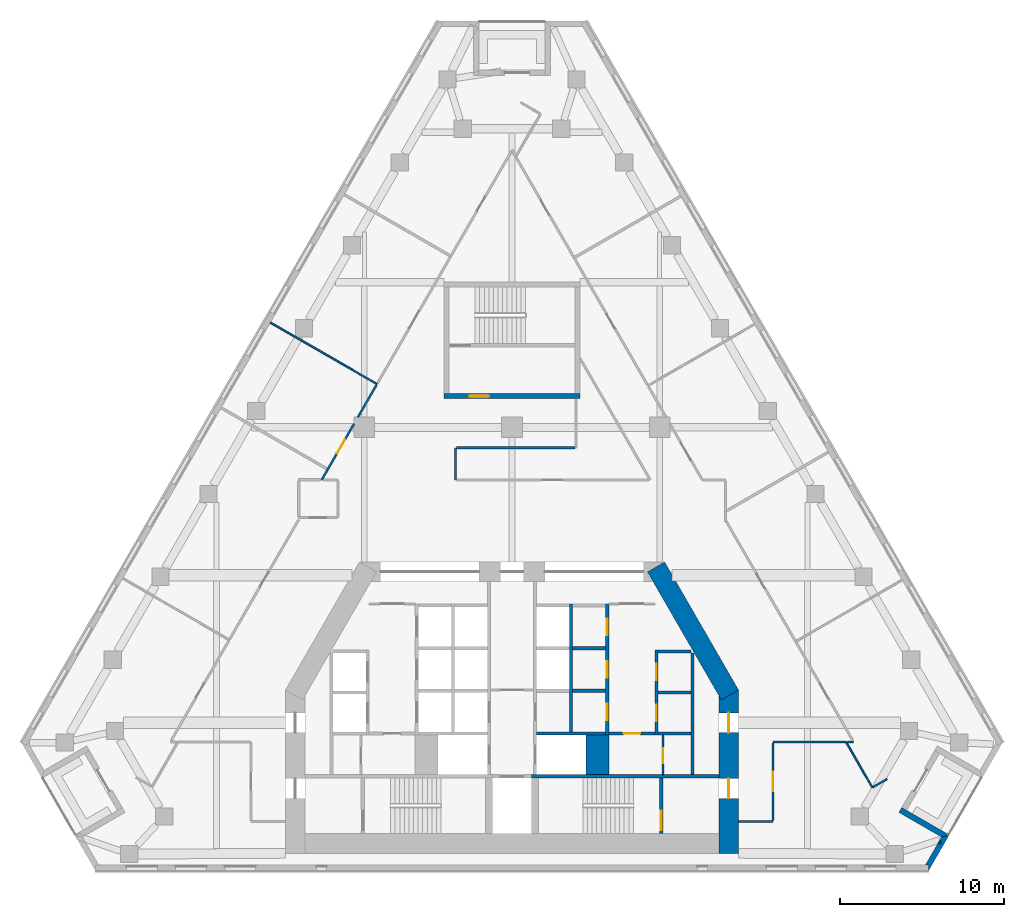
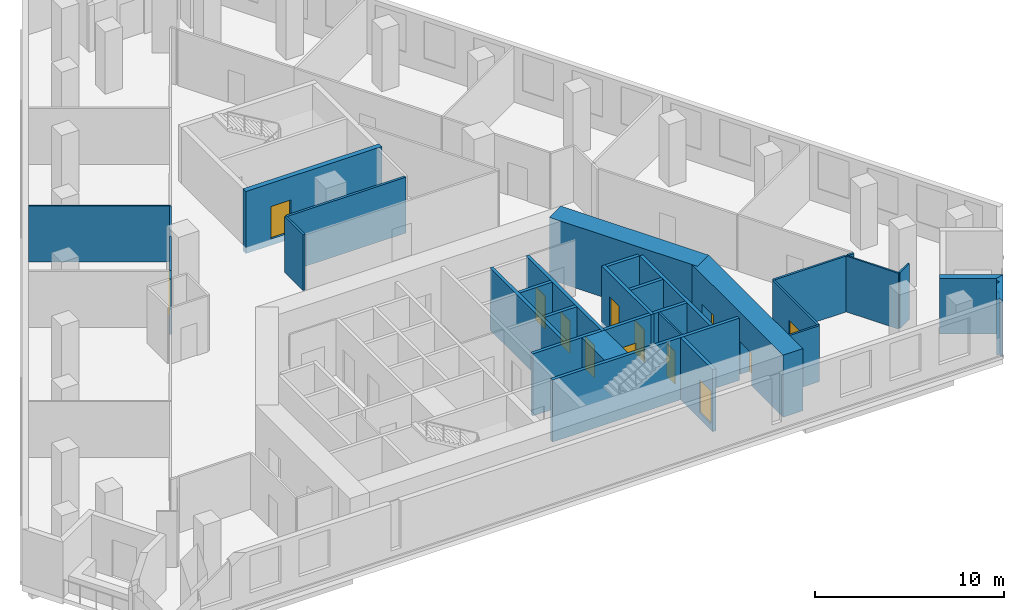
# One storey, part 6 of 10: 33 walls, 13 doors, 13 openings.
"""IFC4 building model written with IfcOpenShell, lengths in metres."""

from ifc_helpers import new_model, si_unit, direction, frame, frame_2d, origin, place, context, subcontext, project, spatial, polyline, rectangle, outline, extrude, material, layer, layer_set, type_object, element, fill, save


model = new_model("IFC4")

# Units and contexts
model_context = context("Model", 3, precision=1e-05, world=origin(), true_north=direction((0.0, 1.0)))
body_context = subcontext(model_context, "Body", "Model", "MODEL_VIEW")
ifc_project = project(units=[si_unit("LENGTHUNIT", "METRE"), si_unit("AREAUNIT", "SQUARE_METRE"), si_unit("VOLUMEUNIT", "CUBIC_METRE"), si_unit("PLANEANGLEUNIT", "RADIAN"), si_unit("MASSUNIT", "GRAM", prefix="KILO")], contexts=[model_context])

# Site, building, storey
site_placement = place(None, origin())
site = spatial("IfcSite", under=ifc_project, at=site_placement, CompositionType="ELEMENT")
building_placement = place(site_placement, origin())
building = spatial("IfcBuilding", under=site, at=building_placement, Name="Fogline Exchange Tower", CompositionType="ELEMENT")
storey_placement = place(building_placement, frame((0.0, 0.0, 128.10009765625)))
storey = spatial("IfcBuildingStorey", under=building, at=storey_placement, Name="L28", CompositionType="ELEMENT", Elevation=128.10009765625)

# Wall, opening, door
ifc_material_1 = material(Name="Blockwork partition", Category="masonry")
ifc_layer_1 = layer(ifc_material_1, 0.10009765625)
ifc_layer_set_1 = layer_set([ifc_layer_1], Name="CW10")
wall_type_1 = type_object("IfcWallType", Name="CW10", PredefinedType="PARTITIONING", material=ifc_layer_set_1)
wall_1_placement = place(storey_placement, frame((9.199951171875, 5.85009765625, 0.0), z_axis=(0.0, 0.0, 1.0), x_axis=(0.0, 1.0, 0.0)))
wall_1 = element("IfcWall", 1, at=wall_1_placement, inside=storey, type_object=wall_type_1, Name="WC partition", PredefinedType="PARTITIONING", context=body_context, shape_type="SweptSolid", body=[
    extrude(rectangle(XDim=2.39990234375, YDim=0.10009765625, at=frame_2d((1.199951171875, 0.0))), origin(), (0.0, 0.0, 1.0), 3.599853515625),
])
opening_1_placement = place(wall_1_placement, frame((0.699951171875, 0.0, 0.0)))
opening_1 = element("IfcOpeningElement", 2, at=opening_1_placement, cuts=wall_1, Name="Opening T08-C015", PredefinedType="OPENING", context=body_context, shape_type="SweptSolid", body=[
    extrude(rectangle(XDim=0.89990234375, YDim=2.10009765625, at=frame_2d((0.449951171875, 1.050048828125))), frame((0.0, 0.06005859375, 0.0), z_axis=(0.0, -1.0, 0.0), x_axis=(1.0, 0.0, 0.0)), (0.0, 0.0, 1.0), 0.1201171875),
])
ifc_material_2 = material(Name="Steel and timber fire door", Category="steel")
door_type_1 = type_object("IfcDoorType", Name="D-CS1", OperationType="SINGLE_SWING_RIGHT", PredefinedType="DOOR", material=ifc_material_2)
door_1_placement = place(opening_1_placement, frame((0.89990234375, 0.0, 0.0), z_axis=(0.0, 0.0, 1.0), x_axis=(-1.0, 0.0, 0.0)))
door_1 = element("IfcDoor", 3, at=door_1_placement, inside=storey, type_object=door_type_1, Name="Door to Cleaner's Store", OperationType="SINGLE_SWING_RIGHT", OverallHeight=2.10009765625, OverallWidth=0.89990234375, PredefinedType="DOOR", context=body_context, shape_type="SweptSolid", body=[
    extrude(rectangle(XDim=0.89990234375, YDim=2.10009765625, at=frame_2d((0.449951171875, 1.050048828125))), frame((0.0, 0.02490234375, 0.0), z_axis=(0.0, -1.0, 0.0), x_axis=(1.0, 0.0, 0.0)), (0.0, 0.0, 1.0), 0.050048828125),
])
fill(opening_1, door_1)

# Walls
ifc_material_3 = material(Name="Concrete C60", Category="concrete")
ifc_layer_2 = layer(ifc_material_3, 1.39990234375)
ifc_layer_set_2 = layer_set([ifc_layer_2], Name="CW140")
wall_type_2 = type_object("IfcWallType", Name="CW140", PredefinedType="SOLIDWALL", material=ifc_layer_set_2)
wall_2_placement = place(storey_placement, frame((5.199951171875, 5.85009765625, -0.400146484375), z_axis=(0.0, 0.0, 1.0), x_axis=(0.0, 1.0, 0.0)))
element("IfcWall", 4, at=wall_2_placement, inside=storey, type_object=wall_type_2, Name="Lift shaft block wall", PredefinedType="SOLIDWALL", context=body_context, shape_type="SweptSolid", body=[
    extrude(rectangle(XDim=2.39990234375, YDim=1.39990234375, at=frame_2d((1.199951171875, 0.0))), origin(), (0.0, 0.0, 1.0), 4.0),
])
ifc_material_4 = material(Name="Concrete C40", Category="concrete")
ifc_layer_3 = layer(ifc_material_4, 0.199951171875)
ifc_layer_set_3 = layer_set([ifc_layer_3], Name="CW20")
wall_type_3 = type_object("IfcWallType", Name="CW20", PredefinedType="SOLIDWALL", material=ifc_layer_set_3)
wall_3_placement = place(storey_placement, frame((11.0, 5.85009765625, 0.0), z_axis=(0.0, 0.0, 1.0), x_axis=(0.0, 1.0, 0.0)))
element("IfcWall", 5, at=wall_3_placement, inside=storey, type_object=wall_type_3, Name="Service room wall", PredefinedType="SOLIDWALL", context=body_context, shape_type="SweptSolid", body=[
    extrude(rectangle(XDim=7.39990234375, YDim=0.199951171875, at=frame_2d((3.699951171875, 0.0))), origin(), (0.0, 0.0, 1.0), 3.599853515625),
])

# Wall, opening, door
wall_4_placement = place(storey_placement, frame((5.89990234375, 8.35009765625, 0.0), z_axis=(0.0, 0.0, 1.0), x_axis=(1.0, 0.0, 0.0)))
wall_4 = element("IfcWall", 6, at=wall_4_placement, inside=storey, type_object=wall_type_3, Name="WC wall", PredefinedType="SOLIDWALL", context=body_context, shape_type="SweptSolid", body=[
    extrude(rectangle(XDim=2.800048828125, YDim=0.199951171875, at=frame_2d((1.39990234375, 0.0))), origin(), (0.0, 0.0, 1.0), 3.599853515625),
])
opening_2_placement = place(wall_4_placement, frame((0.89990234375, 0.0, 0.0)))
opening_2 = element("IfcOpeningElement", 7, at=opening_2_placement, cuts=wall_4, Name="Opening T08-C014", PredefinedType="OPENING", context=body_context, shape_type="SweptSolid", body=[
    extrude(rectangle(XDim=1.0, YDim=2.10009765625, at=frame_2d((0.5, 1.050048828125))), frame((0.0, 0.10986328125, 0.0), z_axis=(0.0, -1.0, 0.0), x_axis=(1.0, 0.0, 0.0)), (0.0, 0.0, 1.0), 0.219970703125),
])
door_type_2 = type_object("IfcDoorType", Name="D-WC1", OperationType="SINGLE_SWING_LEFT", PredefinedType="DOOR", material=ifc_material_2)
door_2_placement = place(opening_2_placement, frame((1.0, 0.0, 0.0), z_axis=(0.0, 0.0, 1.0), x_axis=(-1.0, 0.0, 0.0)))
door_2 = element("IfcDoor", 8, at=door_2_placement, inside=storey, type_object=door_type_2, Name="Door to Women's WC", OperationType="SINGLE_SWING_LEFT", OverallHeight=2.10009765625, OverallWidth=1.0, PredefinedType="DOOR", context=body_context, shape_type="SweptSolid", body=[
    extrude(rectangle(XDim=1.0, YDim=2.10009765625, at=frame_2d((0.5, 1.050048828125))), frame((0.0, 0.02490234375, 0.0), z_axis=(0.0, -1.0, 0.0), x_axis=(1.0, 0.0, 0.0)), (0.0, 0.0, 1.0), 0.050048828125),
])
fill(opening_2, door_2)

# Wall
ifc_layer_4 = layer(ifc_material_4, 0.199951171875)
ifc_layer_set_4 = layer_set([ifc_layer_4], Name="CW20R")
wall_type_4 = type_object("IfcWallType", Name="CW20R", PredefinedType="SOLIDWALL", material=ifc_layer_set_4)
wall_5_placement = place(storey_placement, frame((1.199951171875, 5.75, -0.400146484375), z_axis=(0.0, 0.0, 1.0), x_axis=(1.0, 0.0, 0.0)))
element("IfcWall", 9, at=wall_5_placement, inside=storey, type_object=wall_type_4, Name="Stair enclosure wall", PredefinedType="SOLIDWALL", context=body_context, shape_type="SweptSolid", body=[
    extrude(rectangle(XDim=11.400146484375, YDim=0.199951171875, at=frame_2d((5.7001953125, 0.0))), origin(), (0.0, 0.0, 1.0), 4.0),
])

# Wall, opening, door
wall_6_placement = place(storey_placement, frame((9.10009765625, 2.25, -0.400146484375), z_axis=(0.0, 0.0, 1.0), x_axis=(0.0, 1.0, 0.0)))
wall_6 = element("IfcWall", 10, at=wall_6_placement, inside=storey, type_object=wall_type_4, Name="Stair enclosure wall", PredefinedType="SOLIDWALL", context=body_context, shape_type="SweptSolid", body=[
    extrude(rectangle(XDim=3.39990234375, YDim=0.199951171875, at=frame_2d((1.699951171875, 0.0))), origin(), (0.0, 0.0, 1.0), 4.0),
])
opening_3_placement = place(wall_6_placement, frame((0.199951171875, 0.0, 0.39990234375)))
opening_3 = element("IfcOpeningElement", 11, at=opening_3_placement, cuts=wall_6, Name="Opening T08-C017", PredefinedType="OPENING", context=body_context, shape_type="SweptSolid", body=[
    extrude(rectangle(XDim=1.199951171875, YDim=2.10009765625, at=frame_2d((0.60009765625, 1.050048828125))), frame((0.0, 0.10986328125, 0.0), z_axis=(0.0, -1.0, 0.0), x_axis=(1.0, 0.0, 0.0)), (0.0, 0.0, 1.0), 0.219970703125),
])
door_type_3 = type_object("IfcDoorType", Name="D-ST1", OperationType="SINGLE_SWING_LEFT", PredefinedType="DOOR", material=ifc_material_2)
door_3_placement = place(opening_3_placement, origin())
door_3 = element("IfcDoor", 12, at=door_3_placement, inside=storey, type_object=door_type_3, Name="Stair door ST2", OperationType="SINGLE_SWING_LEFT", OverallHeight=2.10009765625, OverallWidth=1.199951171875, PredefinedType="DOOR", context=body_context, shape_type="SweptSolid", body=[
    extrude(rectangle(XDim=1.199951171875, YDim=2.10009765625, at=frame_2d((0.60009765625, 1.050048828125))), frame((0.0, 0.02490234375, 0.0), z_axis=(0.0, -1.0, 0.0), x_axis=(1.0, 0.0, 0.0)), (0.0, 0.0, 1.0), 0.050048828125),
])
fill(opening_3, door_3)

# Wall, openings, doors
ifc_layer_5 = layer(ifc_material_4, 0.199951171875)
ifc_layer_set_5 = layer_set([ifc_layer_5], Name="CW20S")
wall_type_5 = type_object("IfcWallType", Name="CW20S", PredefinedType="SOLIDWALL", material=ifc_layer_set_5)
wall_7_placement = place(storey_placement, frame((8.800048828125, 8.25, -0.400146484375), z_axis=(0.0, 0.0, 1.0), x_axis=(0.0, 1.0, 0.0)))
wall_7 = element("IfcWall", 13, at=wall_7_placement, inside=storey, type_object=wall_type_5, Name="Lift shaft wall", PredefinedType="SOLIDWALL", context=body_context, shape_type="SweptSolid", body=[
    extrude(rectangle(XDim=5.199951171875, YDim=0.199951171875, at=frame_2d((2.60009765625, 0.0))), origin(), (0.0, 0.0, 1.0), 4.0),
])
opening_4_placement = place(wall_7_placement, frame((0.85009765625, 0.0, 0.39990234375)))
opening_4 = element("IfcOpeningElement", 14, at=opening_4_placement, cuts=wall_7, Name="Opening T08-C001", PredefinedType="OPENING", context=body_context, shape_type="SweptSolid", body=[
    extrude(rectangle(XDim=1.0, YDim=2.10009765625, at=frame_2d((0.5, 1.050048828125))), frame((0.0, 0.10986328125, 0.0), z_axis=(0.0, -1.0, 0.0), x_axis=(1.0, 0.0, 0.0)), (0.0, 0.0, 1.0), 0.219970703125),
])
opening_5_placement = place(wall_7_placement, frame((3.35009765625, 0.0, 0.39990234375)))
opening_5 = element("IfcOpeningElement", 15, at=opening_5_placement, cuts=wall_7, Name="Opening T08-C002", PredefinedType="OPENING", context=body_context, shape_type="SweptSolid", body=[
    extrude(rectangle(XDim=1.0, YDim=2.10009765625, at=frame_2d((0.5, 1.050048828125))), frame((0.0, 0.10986328125, 0.0), z_axis=(0.0, -1.0, 0.0), x_axis=(1.0, 0.0, 0.0)), (0.0, 0.0, 1.0), 0.219970703125),
])
door_type_4 = type_object("IfcDoorType", Name="D-RM1", OperationType="SINGLE_SWING_LEFT", PredefinedType="DOOR", material=ifc_material_2)
door_4_placement = place(opening_4_placement, frame((1.0, 0.0, 0.0), z_axis=(0.0, 0.0, 1.0), x_axis=(-1.0, 0.0, 0.0)))
door_4 = element("IfcDoor", 16, at=door_4_placement, inside=storey, type_object=door_type_4, Name="Door to Records Store", OperationType="SINGLE_SWING_LEFT", OverallHeight=2.10009765625, OverallWidth=1.0, PredefinedType="DOOR", context=body_context, shape_type="SweptSolid", body=[
    extrude(rectangle(XDim=1.0, YDim=2.10009765625, at=frame_2d((0.5, 1.050048828125))), frame((0.0, 0.02490234375, 0.0), z_axis=(0.0, -1.0, 0.0), x_axis=(1.0, 0.0, 0.0)), (0.0, 0.0, 1.0), 0.050048828125),
])
fill(opening_4, door_4)
door_5_placement = place(opening_5_placement, frame((1.0, 0.0, 0.0), z_axis=(0.0, 0.0, 1.0), x_axis=(-1.0, 0.0, 0.0)))
door_5 = element("IfcDoor", 17, at=door_5_placement, inside=storey, type_object=door_type_4, Name="Door to Riser Room", OperationType="SINGLE_SWING_LEFT", OverallHeight=2.10009765625, OverallWidth=1.0, PredefinedType="DOOR", context=body_context, shape_type="SweptSolid", body=[
    extrude(rectangle(XDim=1.0, YDim=2.10009765625, at=frame_2d((0.5, 1.050048828125))), frame((0.0, 0.02490234375, 0.0), z_axis=(0.0, -1.0, 0.0), x_axis=(1.0, 0.0, 0.0)), (0.0, 0.0, 1.0), 0.050048828125),
])
fill(opening_5, door_5)

wall_8_placement = place(storey_placement, frame((5.800048828125, 8.25, -0.400146484375), z_axis=(0.0, 0.0, 1.0), x_axis=(0.0, 1.0, 0.0)))
wall_8 = element("IfcWall", 18, at=wall_8_placement, inside=storey, type_object=wall_type_5, Name="Lift shaft wall", PredefinedType="SOLIDWALL", context=body_context, shape_type="SweptSolid", body=[
    extrude(rectangle(XDim=8.0, YDim=0.199951171875, at=frame_2d((4.0, 0.0))), origin(), (0.0, 0.0, 1.0), 4.0),
])
opening_6_placement = place(wall_8_placement, frame((0.89990234375, 0.0, 0.39990234375)))
opening_6 = element("IfcOpeningElement", 19, at=opening_6_placement, cuts=wall_8, Name="Opening T08-C003", PredefinedType="OPENING", context=body_context, shape_type="SweptSolid", body=[
    extrude(rectangle(XDim=1.0, YDim=2.10009765625, at=frame_2d((0.5, 1.050048828125))), frame((0.0, 0.10986328125, 0.0), z_axis=(0.0, -1.0, 0.0), x_axis=(1.0, 0.0, 0.0)), (0.0, 0.0, 1.0), 0.219970703125),
])
opening_7_placement = place(wall_8_placement, frame((3.5, 0.0, 0.39990234375)))
opening_7 = element("IfcOpeningElement", 20, at=opening_7_placement, cuts=wall_8, Name="Opening T08-C004", PredefinedType="OPENING", context=body_context, shape_type="SweptSolid", body=[
    extrude(rectangle(XDim=1.0, YDim=2.10009765625, at=frame_2d((0.5, 1.050048828125))), frame((0.0, 0.10986328125, 0.0), z_axis=(0.0, -1.0, 0.0), x_axis=(1.0, 0.0, 0.0)), (0.0, 0.0, 1.0), 0.219970703125),
])
opening_8_placement = place(wall_8_placement, frame((6.10009765625, 0.0, 0.39990234375)))
opening_8 = element("IfcOpeningElement", 21, at=opening_8_placement, cuts=wall_8, Name="Opening T08-C005", PredefinedType="OPENING", context=body_context, shape_type="SweptSolid", body=[
    extrude(rectangle(XDim=1.0, YDim=2.10009765625, at=frame_2d((0.5, 1.050048828125))), frame((0.0, 0.10986328125, 0.0), z_axis=(0.0, -1.0, 0.0), x_axis=(1.0, 0.0, 0.0)), (0.0, 0.0, 1.0), 0.219970703125),
])
door_6_placement = place(opening_6_placement, origin())
door_6 = element("IfcDoor", 22, at=door_6_placement, inside=storey, type_object=door_type_4, Name="Door to Plant Room", OperationType="SINGLE_SWING_RIGHT", OverallHeight=2.10009765625, OverallWidth=1.0, PredefinedType="DOOR", context=body_context, shape_type="SweptSolid", body=[
    extrude(rectangle(XDim=1.0, YDim=2.10009765625, at=frame_2d((0.5, 1.050048828125))), frame((0.0, 0.02490234375, 0.0), z_axis=(0.0, -1.0, 0.0), x_axis=(1.0, 0.0, 0.0)), (0.0, 0.0, 1.0), 0.050048828125),
])
fill(opening_6, door_6)
door_7_placement = place(opening_7_placement, origin())
door_7 = element("IfcDoor", 23, at=door_7_placement, inside=storey, type_object=door_type_4, Name="Door to Cable Store", OperationType="SINGLE_SWING_LEFT", OverallHeight=2.10009765625, OverallWidth=1.0, PredefinedType="DOOR", context=body_context, shape_type="SweptSolid", body=[
    extrude(rectangle(XDim=1.0, YDim=2.10009765625, at=frame_2d((0.5, 1.050048828125))), frame((0.0, 0.02490234375, 0.0), z_axis=(0.0, -1.0, 0.0), x_axis=(1.0, 0.0, 0.0)), (0.0, 0.0, 1.0), 0.050048828125),
])
fill(opening_7, door_7)
door_8_placement = place(opening_8_placement, origin())
door_8 = element("IfcDoor", 24, at=door_8_placement, inside=storey, type_object=door_type_4, Name="Door to Server Room", OperationType="SINGLE_SWING_LEFT", OverallHeight=2.10009765625, OverallWidth=1.0, PredefinedType="DOOR", context=body_context, shape_type="SweptSolid", body=[
    extrude(rectangle(XDim=1.0, YDim=2.10009765625, at=frame_2d((0.5, 1.050048828125))), frame((0.0, 0.02490234375, 0.0), z_axis=(0.0, -1.0, 0.0), x_axis=(1.0, 0.0, 0.0)), (0.0, 0.0, 1.0), 0.050048828125),
])
fill(opening_8, door_8)

# Walls
wall_9_placement = place(storey_placement, frame((3.60009765625, 8.449951171875, -0.400146484375), z_axis=(0.0, 0.0, 1.0), x_axis=(0.0, 1.0, 0.0)))
element("IfcWall", 25, at=wall_9_placement, inside=storey, type_object=wall_type_5, Name="Lift shaft wall", PredefinedType="SOLIDWALL", context=body_context, shape_type="SweptSolid", body=[
    extrude(rectangle(XDim=7.800048828125, YDim=0.199951171875, at=frame_2d((3.89990234375, 0.0))), origin(), (0.0, 0.0, 1.0), 4.0),
])
wall_10_placement = place(storey_placement, frame((8.89990234375, 8.35009765625, -0.400146484375), z_axis=(0.0, 0.0, 1.0), x_axis=(1.0, 0.0, 0.0)))
element("IfcWall", 26, at=wall_10_placement, inside=storey, type_object=wall_type_5, Name="Lift shaft wall", PredefinedType="SOLIDWALL", context=body_context, shape_type="SweptSolid", body=[
    extrude(rectangle(XDim=2.0, YDim=0.199951171875, at=frame_2d((1.0, 0.0))), origin(), (0.0, 0.0, 1.0), 4.0),
])
wall_11_placement = place(storey_placement, frame((1.5, 8.35009765625, -0.400146484375), z_axis=(0.0, 0.0, 1.0), x_axis=(1.0, 0.0, 0.0)))
element("IfcWall", 27, at=wall_11_placement, inside=storey, type_object=wall_type_5, Name="Lift shaft wall", PredefinedType="SOLIDWALL", context=body_context, shape_type="SweptSolid", body=[
    extrude(rectangle(XDim=4.199951171875, YDim=0.199951171875, at=frame_2d((2.10009765625, 0.0))), origin(), (0.0, 0.0, 1.0), 4.0),
])
for number, where, z_axis, x_axis, name in (
    (28, (8.89990234375, 10.85009765625, -0.400146484375), (0.0, 0.0, 1.0), (1.0, 0.0, 0.0), "Lift shaft wall"),
    (29, (8.89990234375, 13.35009765625, -0.400146484375), (0.0, 0.0, 1.0), (1.0, 0.0, 0.0), "Lift shaft wall"),
    (30, (3.699951171875, 10.949951171875, -0.400146484375), (0.0, 0.0, 1.0), (1.0, 0.0, 0.0), "Lift shaft wall"),
    (31, (3.699951171875, 13.550048828125, -0.400146484375), (0.0, 0.0, 1.0), (1.0, 0.0, 0.0), "Lift shaft wall"),
):
    element("IfcWall", number, at=place(storey_placement, frame(where, z_axis=z_axis, x_axis=x_axis)), inside=storey, type_object=wall_type_5, Name=name, PredefinedType="SOLIDWALL", context=body_context, shape_type="SweptSolid", body=[
        extrude(rectangle(XDim=2.0, YDim=0.199951171875, at=frame_2d((1.0, 0.0))), origin(), (0.0, 0.0, 1.0), 4.0),
    ])

# Wall, opening, door
ifc_layer_6 = layer(ifc_material_4, 0.300048828125)
ifc_layer_set_6 = layer_set([ifc_layer_6], Name="CW30")
wall_type_6 = type_object("IfcWallType", Name="CW30", PredefinedType="SOLIDWALL", material=ifc_layer_set_6)
wall_12_placement = place(storey_placement, frame((-4.14990234375, 28.906982421875, -0.400146484375), z_axis=(0.0, 0.0, 1.0), x_axis=(1.0, 0.0, 0.0)))
wall_12 = element("IfcWall", 32, at=wall_12_placement, inside=storey, type_object=wall_type_6, Name="Stair enclosure wall ST3", PredefinedType="SOLIDWALL", context=body_context, shape_type="SweptSolid", body=[
    extrude(rectangle(XDim=8.2998046875, YDim=0.300048828125, at=frame_2d((4.14990234375, 0.0))), origin(), (0.0, 0.0, 1.0), 4.0),
])
opening_9_placement = place(wall_12_placement, frame((1.550048828125, 0.0, 0.39990234375)))
opening_9 = element("IfcOpeningElement", 33, at=opening_9_placement, cuts=wall_12, Name="Opening T08-C023", PredefinedType="OPENING", context=body_context, shape_type="SweptSolid", body=[
    extrude(rectangle(XDim=1.199951171875, YDim=2.10009765625, at=frame_2d((0.60009765625, 1.050048828125))), frame((0.0, 0.16015625, 0.0), z_axis=(0.0, -1.0, 0.0), x_axis=(1.0, 0.0, 0.0)), (0.0, 0.0, 1.0), 0.320068359375),
])
door_type_5 = type_object("IfcDoorType", Name="D-FR1", OperationType="SINGLE_SWING_RIGHT", PredefinedType="DOOR", material=ifc_material_2)
door_9_placement = place(opening_9_placement, origin())
door_9 = element("IfcDoor", 34, at=door_9_placement, inside=storey, type_object=door_type_5, Name="Front room door ST3", OperationType="SINGLE_SWING_LEFT", OverallHeight=2.10009765625, OverallWidth=1.199951171875, PredefinedType="DOOR", context=body_context, shape_type="SweptSolid", body=[
    extrude(rectangle(XDim=1.199951171875, YDim=2.10009765625, at=frame_2d((0.60009765625, 1.050048828125))), frame((0.0, 0.02490234375, 0.0), z_axis=(0.0, -1.0, 0.0), x_axis=(1.0, 0.0, 0.0)), (0.0, 0.0, 1.0), 0.050048828125),
])
fill(opening_9, door_9)

# Walls
ifc_material_5 = material(Name="Brick masonry", Category="masonry")
ifc_layer_7 = layer(ifc_material_5, 0.340087890625)
ifc_layer_set_7 = layer_set([ifc_layer_7], Name="FW1")
wall_type_7 = type_object("IfcWallType", Name="FW1", PredefinedType="SOLIDWALL", material=ifc_layer_set_7)
wall_13_placement = place(storey_placement, origin())
element("IfcWall", 35, at=wall_13_placement, inside=storey, type_object=wall_type_7, Name="Brick wall L28 SE-c1", PredefinedType="SOLIDWALL", context=body_context, shape_type="SweptSolid", body=[
    extrude(outline(polyline([(26.083984375, 1.877685546875), (26.145751953125, 1.682861328125), (25.9326171875, 1.615234375), (26.083984375, 1.877685546875)])), origin(), (0.0, 0.0, 1.0), 3.0),
])
wall_14_placement = place(storey_placement, origin())
element("IfcWall", 36, at=wall_14_placement, inside=storey, type_object=wall_type_7, Name="Brick wall L28 SE-c1", PredefinedType="SOLIDWALL", context=body_context, shape_type="SweptSolid", body=[
    extrude(outline(polyline([(25.393310546875, -0.001220703125), (25.392578125, -0.0009765625), (25.392578125, 0.33935546875), (25.196044921875, 0.33935546875), (25.9326171875, 1.615234375), (26.145751953125, 1.682861328125), (26.083984375, 1.877685546875), (26.178466796875, 2.041015625), (26.64404296875, 2.166015625), (26.644287109375, 2.165771484375), (25.393310546875, -0.001220703125)])), origin(), (0.0, 0.0, 1.0), 3.599853515625),
])
wall_15_placement = place(storey_placement, origin())
element("IfcWall", 37, at=wall_15_placement, inside=storey, type_object=wall_type_7, Name="Brick wall L28 SE-s1", PredefinedType="SOLIDWALL", context=body_context, shape_type="SweptSolid", body=[
    extrude(outline(polyline([(23.579833984375, 3.540283203125), (23.75048828125, 3.8359375), (24.04541015625, 3.66552734375), (26.64453125, 2.1650390625), (26.64453125, 2.164794921875), (26.1787109375, 2.0400390625), (23.579833984375, 3.540283203125)])), origin(), (0.0, 0.0, 1.0), 3.599853515625),
])
ifc_material_6 = material(Name="Plasterboard partition, 2 layers each side on steel studs", Category="steel")
ifc_layer_8 = layer(ifc_material_6, 0.10009765625)
ifc_layer_set_8 = layer_set([ifc_layer_8], Name="PW1")
wall_type_8 = type_object("IfcWallType", Name="PW1", PredefinedType="PARTITIONING", material=ifc_layer_set_8)
wall_16_placement = place(storey_placement, frame((-8.2265625, 29.64208984375, 0.0), z_axis=(0.0, 0.0, 1.0), x_axis=(-0.866022959057, 0.500004234368, 0.0)))
element("IfcWall", 38, at=wall_16_placement, inside=storey, type_object=wall_type_8, Name="wall-L28-W040", PredefinedType="PARTITIONING", context=body_context, shape_type="SweptSolid", body=[
    extrude(rectangle(XDim=7.5, YDim=0.10009765625, at=frame_2d((3.75, 0.0))), origin(), (0.0, 0.0, 1.0), 3.599853515625),
])
wall_17_placement = place(storey_placement, frame((20.35205078125, 7.840087890625, 0.0), z_axis=(0.0, 0.0, 1.0), x_axis=(0.499981246758, -0.866036230703, 0.0)))
element("IfcWall", 39, at=wall_17_placement, inside=storey, type_object=wall_type_8, Name="wall-L28-W047", PredefinedType="PARTITIONING", context=body_context, shape_type="SweptSolid", body=[
    extrude(rectangle(XDim=3.2119140625, YDim=0.10009765625, at=frame_2d((1.60595703125, 0.0))), origin(), (0.0, 0.0, 1.0), 3.599853515625),
])
wall_18_placement = place(storey_placement, frame((22.00146484375, 5.08349609375, 0.0), z_axis=(0.0, 0.0, 1.0), x_axis=(0.866069217599, 0.499924104568, 0.0)))
element("IfcWall", 40, at=wall_18_placement, inside=storey, type_object=wall_type_8, Name="wall-L28-W048", PredefinedType="PARTITIONING", context=body_context, shape_type="SweptSolid", body=[
    extrude(rectangle(XDim=0.978271484375, YDim=0.10009765625, at=frame_2d((0.4892578125, 0.0))), origin(), (0.0, 0.0, 1.0), 3.599853515625),
])

# Wall, opening, door
ifc_material_7 = material(Name="Plasterboard corridor partition with mineral wool, 2 layers each side")
ifc_layer_9 = layer(ifc_material_7, 0.125)
ifc_layer_set_9 = layer_set([ifc_layer_9], Name="PW2")
wall_type_9 = type_object("IfcWallType", Name="PW2", PredefinedType="PARTITIONING", material=ifc_layer_set_9)
wall_19_placement = place(storey_placement, frame((15.89990234375, 7.777587890625, 0.0), z_axis=(0.0, 0.0, 1.0), x_axis=(0.0, -1.0, 0.0)))
wall_19 = element("IfcWall", 41, at=wall_19_placement, inside=storey, type_object=wall_type_9, Name="wall-L28-W001", PredefinedType="PARTITIONING", context=body_context, shape_type="SweptSolid", body=[
    extrude(rectangle(XDim=4.715087890625, YDim=0.125, at=frame_2d((2.357421875, 0.0))), origin(), (0.0, 0.0, 1.0), 3.599853515625),
])
opening_10_placement = place(wall_19_placement, frame((1.757568359375, 0.0, 0.0)))
opening_10 = element("IfcOpeningElement", 42, at=opening_10_placement, cuts=wall_19, Name="Opening T08-D001", PredefinedType="OPENING", context=body_context, shape_type="SweptSolid", body=[
    extrude(rectangle(XDim=1.199951171875, YDim=2.10009765625, at=frame_2d((0.60009765625, 1.050048828125))), frame((0.0, 0.072509765625, 0.0), z_axis=(0.0, -1.0, 0.0), x_axis=(1.0, 0.0, 0.0)), (0.0, 0.0, 1.0), 0.14501953125),
])
ifc_material_8 = material(Name="Fire-rated glazed door leaf with steel frame", Category="steel")
door_type_6 = type_object("IfcDoorType", Name="D5", OperationType="SINGLE_SWING_LEFT", PredefinedType="DOOR", material=ifc_material_8)
door_10_placement = place(opening_10_placement, origin())
door_10 = element("IfcDoor", 43, at=door_10_placement, inside=storey, type_object=door_type_6, Name="door-L28-D001", OperationType="SINGLE_SWING_LEFT", OverallHeight=2.10009765625, OverallWidth=1.199951171875, PredefinedType="DOOR", context=body_context, shape_type="SweptSolid", body=[
    extrude(rectangle(XDim=1.199951171875, YDim=2.10009765625, at=frame_2d((0.60009765625, 1.050048828125))), frame((0.0, 0.02490234375, 0.0), z_axis=(0.0, -1.0, 0.0), x_axis=(1.0, 0.0, 0.0)), (0.0, 0.0, 1.0), 0.050048828125),
])
fill(opening_10, door_10)

# Wall
wall_20_placement = place(storey_placement, frame((15.89990234375, 3.0, 0.0), z_axis=(0.0, 0.0, 1.0), x_axis=(-1.0, 0.0, 0.0)))
element("IfcWall", 44, at=wall_20_placement, inside=storey, type_object=wall_type_9, Name="wall-L28-W002", PredefinedType="PARTITIONING", context=body_context, shape_type="SweptSolid", body=[
    extrude(rectangle(XDim=2.099853515625, YDim=0.125, at=frame_2d((1.0498046875, 0.0))), origin(), (0.0, 0.0, 1.0), 3.599853515625),
])

# Wall, opening, door
wall_21_placement = place(storey_placement, frame((-11.2265625, 24.44580078125, 0.0), z_axis=(0.0, 0.0, 1.0), x_axis=(0.499975356835, 0.866039631055, 0.0)))
wall_21 = element("IfcWall", 45, at=wall_21_placement, inside=storey, type_object=wall_type_9, Name="wall-L28-W019", PredefinedType="PARTITIONING", context=body_context, shape_type="SweptSolid", body=[
    extrude(rectangle(XDim=3.203369140625, YDim=0.125, at=frame_2d((1.6015625, 0.0))), origin(), (0.0, 0.0, 1.0), 3.599853515625),
])
opening_11_placement = place(wall_21_placement, frame((1.1015625, 0.0, 0.0)))
opening_11 = element("IfcOpeningElement", 46, at=opening_11_placement, cuts=wall_21, Name="Opening T08-D010", PredefinedType="OPENING", context=body_context, shape_type="SweptSolid", body=[
    extrude(rectangle(XDim=1.0, YDim=2.10009765625, at=frame_2d((0.5, 1.050048828125))), frame((0.0, 0.072509765625, 0.0), z_axis=(0.0, -1.0, 0.0), x_axis=(1.0, 0.0, 0.0)), (0.0, 0.0, 1.0), 0.14501953125),
])
ifc_material_9 = material(Name="Fire-rated timber door leaf with steel frame", Category="steel")
door_type_7 = type_object("IfcDoorType", Name="D3", OperationType="SINGLE_SWING_LEFT", PredefinedType="DOOR", material=ifc_material_9)
door_11_placement = place(opening_11_placement, origin())
door_11 = element("IfcDoor", 47, at=door_11_placement, inside=storey, type_object=door_type_7, Name="door-L28-D010", OperationType="SINGLE_SWING_LEFT", OverallHeight=2.10009765625, OverallWidth=1.0, PredefinedType="DOOR", context=body_context, shape_type="SweptSolid", body=[
    extrude(rectangle(XDim=1.0, YDim=2.10009765625, at=frame_2d((0.5, 1.050048828125))), frame((0.0, 0.02490234375, 0.0), z_axis=(0.0, -1.0, 0.0), x_axis=(1.0, 0.0, 0.0)), (0.0, 0.0, 1.0), 0.050048828125),
])
fill(opening_11, door_11)

# Walls
wall_22_placement = place(storey_placement, frame((-9.39111328125, 27.625, 0.0), z_axis=(0.0, 0.0, 1.0), x_axis=(0.500022320372, 0.866012516728, 0.0)))
element("IfcWall", 48, at=wall_22_placement, inside=storey, type_object=wall_type_9, Name="wall-L28-W020", PredefinedType="PARTITIONING", context=body_context, shape_type="SweptSolid", body=[
    extrude(rectangle(XDim=2.27880859375, YDim=0.125, at=frame_2d((1.139404296875, 0.0))), origin(), (0.0, 0.0, 1.0), 3.599853515625),
])
wall_23_placement = place(storey_placement, frame((-11.599609375, 23.800048828125, 0.0), z_axis=(0.0, 0.0, 1.0), x_axis=(0.500223055231, 0.865896584481, 0.0)))
element("IfcWall", 49, at=wall_23_placement, inside=storey, type_object=wall_type_9, Name="wall-L28-W022", PredefinedType="PARTITIONING", context=body_context, shape_type="SweptSolid", body=[
    extrude(rectangle(XDim=0.745849609375, YDim=0.125, at=frame_2d((0.373046875, 0.0))), origin(), (0.0, 0.0, 1.0), 3.599853515625),
])
wall_24_placement = place(storey_placement, frame((20.308349609375, 7.840087890625, 0.0), z_axis=(0.0, 0.0, 1.0), x_axis=(-1.0, 0.0, 0.0)))
element("IfcWall", 50, at=wall_24_placement, inside=storey, type_object=wall_type_9, Name="wall-L28-W029", PredefinedType="PARTITIONING", context=body_context, shape_type="SweptSolid", body=[
    extrude(rectangle(XDim=4.408447265625, YDim=0.125, at=frame_2d((2.2041015625, 0.0))), origin(), (0.0, 0.0, 1.0), 3.599853515625),
])
wall_25_placement = place(storey_placement, frame((20.81396484375, 7.840087890625, 0.0), z_axis=(0.0, 0.0, 1.0), x_axis=(-1.0, 0.0, 0.0)))
element("IfcWall", 51, at=wall_25_placement, inside=storey, type_object=wall_type_9, Name="wall-L28-W031", PredefinedType="PARTITIONING", context=body_context, shape_type="SweptSolid", body=[
    extrude(rectangle(XDim=0.36767578125, YDim=0.125, at=frame_2d((0.183837890625, 0.0))), origin(), (0.0, 0.0, 1.0), 3.599853515625),
])
wall_26_placement = place(storey_placement, frame((-3.449951171875, 25.757080078125, 0.0), z_axis=(0.0, 0.0, 1.0), x_axis=(0.0, -1.0, 0.0)))
element("IfcWall", 52, at=wall_26_placement, inside=storey, type_object=wall_type_9, Name="wall-L28-W033", PredefinedType="PARTITIONING", context=body_context, shape_type="SweptSolid", body=[
    extrude(rectangle(XDim=1.95703125, YDim=0.125, at=frame_2d((0.978515625, 0.0))), origin(), (0.0, 0.0, 1.0), 3.599853515625),
])
ifc_material_10 = material(Name="Plasterboard stair lobby partition, 3 layers each side on steel studs", Category="steel")
ifc_layer_10 = layer(ifc_material_10, 0.14990234375)
ifc_layer_set_10 = layer_set([ifc_layer_10], Name="PW4")
wall_type_10 = type_object("IfcWallType", Name="PW4", PredefinedType="PARTITIONING", material=ifc_layer_set_10)
wall_27_placement = place(storey_placement, frame((3.824951171875, 25.757080078125, 0.0), z_axis=(0.0, 0.0, 1.0), x_axis=(-1.0, 0.0, 0.0)))
element("IfcWall", 53, at=wall_27_placement, inside=storey, type_object=wall_type_10, Name="wall-L28-W024", PredefinedType="PARTITIONING", context=body_context, shape_type="SweptSolid", body=[
    extrude(rectangle(XDim=7.21240234375, YDim=0.14990234375, at=frame_2d((3.606201171875, 0.0))), origin(), (0.0, 0.0, 1.0), 3.599853515625),
])

# Wall, openings, doors
ifc_layer_11 = layer(ifc_material_3, 1.199951171875)
ifc_layer_set_11 = layer_set([ifc_layer_11], Name="SW02")
wall_type_11 = type_object("IfcWallType", Name="SW02", PredefinedType="SHEAR", material=ifc_layer_set_11)
wall_28_placement = place(storey_placement, frame((13.199951171875, 1.050048828125, 0.0), z_axis=(0.0, 0.0, 1.0), x_axis=(0.0, 1.0, 0.0)))
wall_28 = element("IfcWall", 54, at=wall_28_placement, inside=storey, type_object=wall_type_11, Name="L28-W902", PredefinedType="SHEAR", context=body_context, shape_type="SweptSolid", body=[
    extrude(rectangle(XDim=9.948974609375, YDim=1.199951171875, at=frame_2d((4.974609375, 0.0))), origin(), (0.0, 0.0, 1.0), 4.0),
])
opening_12_placement = place(wall_28_placement, frame((3.35009765625, 0.0, 0.0)))
opening_12 = element("IfcOpeningElement", 55, at=opening_12_placement, cuts=wall_28, Name="Opening T08-C016", PredefinedType="OPENING", context=body_context, shape_type="SweptSolid", body=[
    extrude(rectangle(XDim=1.199951171875, YDim=2.10009765625, at=frame_2d((0.60009765625, 1.050048828125))), frame((0.0, 0.60986328125, 0.0), z_axis=(0.0, -1.0, 0.0), x_axis=(1.0, 0.0, 0.0)), (0.0, 0.0, 1.0), 1.219970703125),
])
opening_13_placement = place(wall_28_placement, frame((7.35009765625, 0.0, 0.0)))
opening_13 = element("IfcOpeningElement", 56, at=opening_13_placement, cuts=wall_28, Name="Opening T08-C018", PredefinedType="OPENING", context=body_context, shape_type="SweptSolid", body=[
    extrude(rectangle(XDim=1.199951171875, YDim=2.10009765625, at=frame_2d((0.60009765625, 1.050048828125))), frame((0.0, 0.60986328125, 0.0), z_axis=(0.0, -1.0, 0.0), x_axis=(1.0, 0.0, 0.0)), (0.0, 0.0, 1.0), 1.219970703125),
])
door_12_placement = place(opening_12_placement, origin())
door_12 = element("IfcDoor", 57, at=door_12_placement, inside=storey, type_object=door_type_5, Name="Front room door ST2", OperationType="SINGLE_SWING_RIGHT", OverallHeight=2.10009765625, OverallWidth=1.199951171875, PredefinedType="DOOR", context=body_context, shape_type="SweptSolid", body=[
    extrude(rectangle(XDim=1.199951171875, YDim=2.10009765625, at=frame_2d((0.60009765625, 1.050048828125))), frame((0.0, 0.02490234375, 0.0), z_axis=(0.0, -1.0, 0.0), x_axis=(1.0, 0.0, 0.0)), (0.0, 0.0, 1.0), 0.050048828125),
])
fill(opening_12, door_12)
door_type_8 = type_object("IfcDoorType", Name="D-SV1", OperationType="SINGLE_SWING_LEFT", PredefinedType="DOOR", material=ifc_material_2)
door_13_placement = place(opening_13_placement, origin())
door_13 = element("IfcDoor", 58, at=door_13_placement, inside=storey, type_object=door_type_8, Name="Service door E", OperationType="SINGLE_SWING_RIGHT", OverallHeight=2.10009765625, OverallWidth=1.199951171875, PredefinedType="DOOR", context=body_context, shape_type="SweptSolid", body=[
    extrude(rectangle(XDim=1.199951171875, YDim=2.10009765625, at=frame_2d((0.60009765625, 1.050048828125))), frame((0.0, 0.02490234375, 0.0), z_axis=(0.0, -1.0, 0.0), x_axis=(1.0, 0.0, 0.0)), (0.0, 0.0, 1.0), 0.050048828125),
])
fill(opening_13, door_13)

# Wall
wall_29_placement = place(storey_placement, frame((13.280517578125, 10.698974609375, 0.0), z_axis=(0.0, 0.0, 1.0), x_axis=(-0.499998513025, 0.866026262288, 0.0)))
element("IfcWall", 59, at=wall_29_placement, inside=storey, type_object=wall_type_11, Name="L28-W903", PredefinedType="SHEAR", context=body_context, shape_type="SweptSolid", body=[
    extrude(rectangle(XDim=9.0078125, YDim=1.199951171875, at=frame_2d((4.50390625, 0.0))), origin(), (0.0, 0.0, 1.0), 4.0),
])

save(model, "model.ifc")
